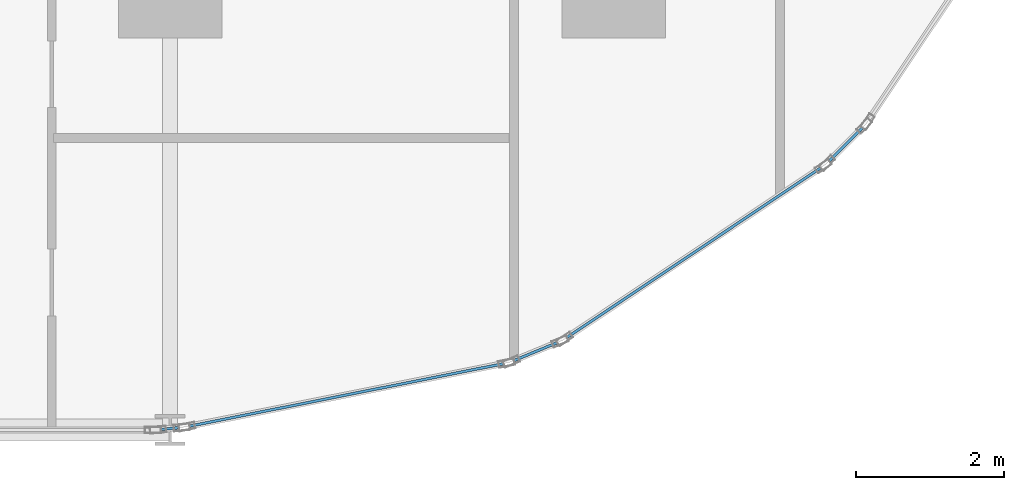
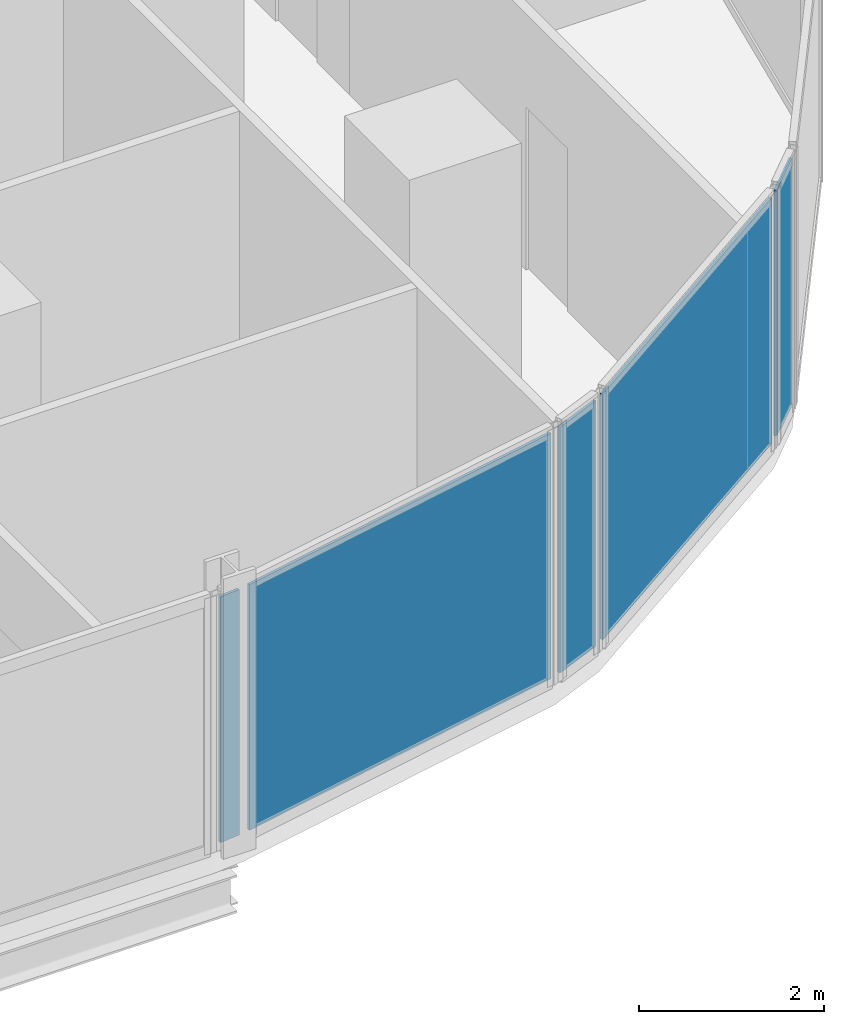
# One storey, part 22 of 33: 5 plates, 5 elements without a shape of their own.
"""IFC4 building model written with IfcOpenShell, lengths in metres."""

from ifc_helpers import new_model, si_unit, direction, frame, origin, origin_2d, place, context, subcontext, project, spatial, rectangle, extrude, material, layer, layer_set, type_object, element, aggregate, save


model = new_model("IFC4")

# Units and contexts
model_context = context("Model", 3, precision=1e-05, world=origin(), true_north=direction((0.0, 1.0)))
body_context = subcontext(model_context, "Body", "Model", "MODEL_VIEW")
ifc_project = project(units=[si_unit("LENGTHUNIT", "METRE"), si_unit("AREAUNIT", "SQUARE_METRE"), si_unit("VOLUMEUNIT", "CUBIC_METRE"), si_unit("PLANEANGLEUNIT", "RADIAN"), si_unit("MASSUNIT", "GRAM", prefix="KILO")], contexts=[model_context])

# Site, building, storey
site_placement = place(None, origin())
site = spatial("IfcSite", under=ifc_project, at=site_placement, CompositionType="ELEMENT")
building_placement = place(site_placement, origin())
building = spatial("IfcBuilding", under=site, at=building_placement, Name="Keshet Zoharim Tower", CompositionType="ELEMENT")
storey_placement = place(building_placement, frame((0.0, 0.0, 49.89990234375)))
storey = spatial("IfcBuildingStorey", under=building, at=storey_placement, Name="L11", CompositionType="ELEMENT", Elevation=49.89990234375)

# Curtain wall, plate
ifc_material_1 = material(Name="Aluminium 6063-T6", Category="aluminium")
ifc_layer_1 = layer(ifc_material_1, 0.179931640625)
ifc_layer_set_1 = layer_set([ifc_layer_1], Name="Aluminium 6063-T6")
curtain_wall_type = type_object("IfcCurtainWallType", Name="CW-SYS-01", PredefinedType="NOTDEFINED", material=ifc_layer_set_1)
curtain_wall_1_placement = place(storey_placement, origin())
curtain_wall_1 = element("IfcCurtainWall", 1, at=curtain_wall_1_placement, inside=storey, type_object=curtain_wall_type, Name="L11 Unitised Curtain Wall 21", PredefinedType="NOTDEFINED")
ifc_material_2 = material(Name="Insulated Low-E Clear Glass", Category="glass")
ifc_layer_2 = layer(ifc_material_2, 0.035888671875)
ifc_layer_set_2 = layer_set([ifc_layer_2], Name="Insulated Low-E Clear Glass")
plate_type = type_object("IfcPlateType", Name="CWP-01", PredefinedType="CURTAIN_PANEL", material=ifc_layer_set_2)
plate_1_placement = place(storey_placement, frame((66.137451171875, 4.5625, 0.070068359375), z_axis=(0.0, 0.0, 1.0), x_axis=(-0.707106781187, -0.707106781187, 0.0)))
plate_1 = element("IfcPlate", 2, at=plate_1_placement, type_object=plate_type, Name="CW-01 panel 1.1", PredefinedType="CURTAIN_PANEL", context=body_context, shape_type="SweptSolid", body=[
    extrude(rectangle(XDim=0.63916015625, YDim=0.035888671875, at=origin_2d()), origin(), (0.0, 0.0, 1.0), 3.2451171875),
])
aggregate(curtain_wall_1, [plate_1])

curtain_wall_2_placement = place(storey_placement, origin())
curtain_wall_2 = element("IfcCurtainWall", 3, at=curtain_wall_2_placement, inside=storey, type_object=curtain_wall_type, Name="L11 Unitised Curtain Wall 22", PredefinedType="NOTDEFINED")
plate_2_placement = place(storey_placement, frame((64.083984375, 3.09912109375, 0.070068359375), z_axis=(0.0, 0.0, 1.0), x_axis=(-0.831474282335, -0.555563243758, 0.0)))
plate_2 = element("IfcPlate", 4, at=plate_2_placement, type_object=plate_type, Name="CW-01 panel 1.1", PredefinedType="CURTAIN_PANEL", context=body_context, shape_type="SweptSolid", body=[
    extrude(rectangle(XDim=4.13671875, YDim=0.035888671875, at=origin_2d()), origin(), (0.0, 0.0, 1.0), 3.2451171875),
])
aggregate(curtain_wall_2, [plate_2])

curtain_wall_3_placement = place(storey_placement, origin())
curtain_wall_3 = element("IfcCurtainWall", 5, at=curtain_wall_3_placement, inside=storey, type_object=curtain_wall_type, Name="L11 Unitised Curtain Wall 23", PredefinedType="NOTDEFINED")
plate_3_placement = place(storey_placement, frame((61.945556640625, 1.761474609375, 0.070068359375), z_axis=(0.0, 0.0, 1.0), x_axis=(-0.923720000557, -0.383068349739, 0.0)))
plate_3 = element("IfcPlate", 6, at=plate_3_placement, type_object=plate_type, Name="CW-01 panel 1.1", PredefinedType="CURTAIN_PANEL", context=body_context, shape_type="SweptSolid", body=[
    extrude(rectangle(XDim=0.640625, YDim=0.035888671875, at=origin_2d()), origin(), (0.0, 0.0, 1.0), 3.2451171875),
])
aggregate(curtain_wall_3, [plate_3])

curtain_wall_4_placement = place(storey_placement, origin())
curtain_wall_4 = element("IfcCurtainWall", 7, at=curtain_wall_4_placement, inside=storey, type_object=curtain_wall_type, Name="L11 Unitised Curtain Wall 24", PredefinedType="NOTDEFINED")
plate_4_placement = place(storey_placement, frame((59.388916015625, 1.175048828125, 0.070068359375), z_axis=(0.0, 0.0, 1.0), x_axis=(-0.98076917357, -0.195171279072, 0.0)))
plate_4 = element("IfcPlate", 8, at=plate_4_placement, type_object=plate_type, Name="CW-01 panel 1.1", PredefinedType="CURTAIN_PANEL", context=body_context, shape_type="SweptSolid", body=[
    extrude(rectangle(XDim=4.338134765625, YDim=0.035888671875, at=origin_2d()), origin(), (0.0, 0.0, 1.0), 3.2451171875),
])
aggregate(curtain_wall_4, [plate_4])

curtain_wall_5_placement = place(storey_placement, origin())
curtain_wall_5 = element("IfcCurtainWall", 9, at=curtain_wall_5_placement, inside=storey, type_object=curtain_wall_type, Name="L11 Unitised Curtain Wall 25", PredefinedType="NOTDEFINED")
plate_5_placement = place(storey_placement, frame((56.998046875, 0.718994140625, 0.070068359375), z_axis=(0.0, 0.0, 1.0), x_axis=(-0.995286657009, -0.096976648633, 0.0)))
plate_5 = element("IfcPlate", 10, at=plate_5_placement, type_object=plate_type, Name="CW-01 panel 1.1", PredefinedType="CURTAIN_PANEL", context=body_context, shape_type="SweptSolid", body=[
    extrude(rectangle(XDim=0.251953125, YDim=0.035888671875, at=origin_2d()), origin(), (0.0, 0.0, 1.0), 3.2451171875),
])
aggregate(curtain_wall_5, [plate_5])

save(model, "model.ifc")
